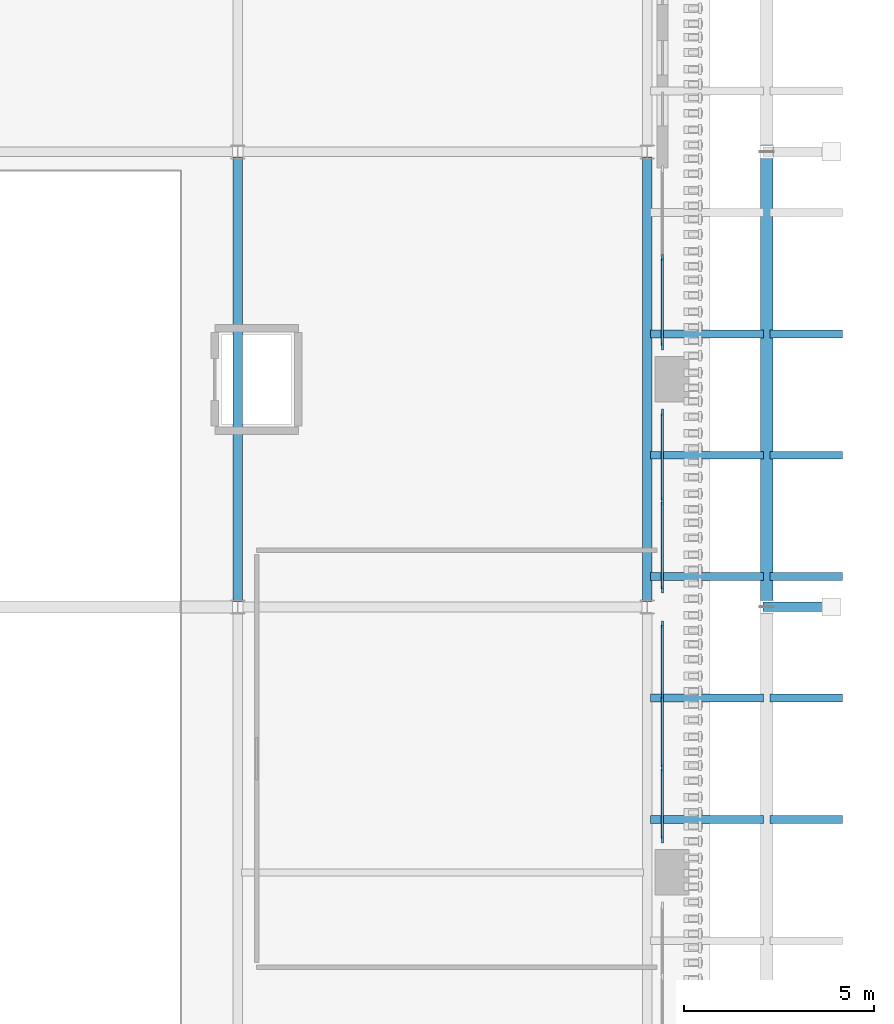
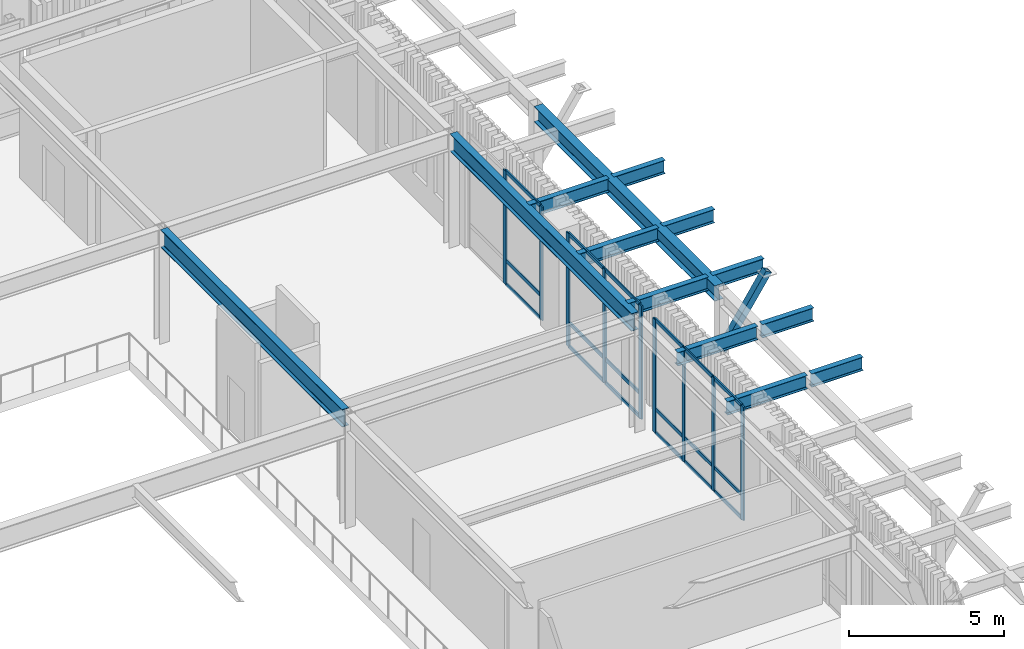
# One storey, part 54 of 126: 28 members, 13 beams, 3 elements without a shape of their own.
"""IFC4 building model written with IfcOpenShell, lengths in metres."""

from ifc_helpers import new_model, si_unit, derived_unit, direction, frame, origin, origin_2d, place, context, subcontext, project, spatial, rectangle, hollow_rectangle, i_section, extrude, material, layer, layer_set, material_profile, profile_set, type_object, element, aggregate, save


model = new_model("IFC4")

# Units and contexts
model_context = context("Model", 3, precision=1e-05, world=origin(), true_north=direction((0.0, 1.0)))
body_context = subcontext(model_context, "Body", "Model", "MODEL_VIEW")
ifc_project = project(units=[si_unit("LENGTHUNIT", "METRE"), si_unit("AREAUNIT", "SQUARE_METRE"), si_unit("VOLUMEUNIT", "CUBIC_METRE"), si_unit("PLANEANGLEUNIT", "RADIAN"), si_unit("MASSUNIT", "GRAM", prefix="KILO"), derived_unit("THERMALTRANSMITTANCEUNIT", [(si_unit("MASSUNIT", "GRAM", prefix="KILO"), 1), (si_unit("TIMEUNIT", "SECOND"), -3), (si_unit("THERMODYNAMICTEMPERATUREUNIT", "KELVIN"), -1)])], contexts=[model_context])

# Site, building, storey
site_placement = place(None, origin())
site = spatial("IfcSite", under=ifc_project, at=site_placement, CompositionType="ELEMENT")
building_placement = place(site_placement, origin())
building = spatial("IfcBuilding", under=site, at=building_placement, Name="Valcora Ridge Arena", CompositionType="ELEMENT")
storey_placement = place(building_placement, frame((0.0, 0.0, 11.39990234375)))
storey = spatial("IfcBuildingStorey", under=building, at=storey_placement, Name="L02", CompositionType="ELEMENT", Elevation=11.39990234375)

# Beams
ifc_material_1 = material(Name="Steel ASTM A572 Grade 50", Category="steel")
ifc_material_profile_1 = material_profile(ifc_material_1, i_section(OverallWidth=0.324951171875, OverallDepth=0.612060546875, WebThickness=0.0126953125, FlangeThickness=0.01904296875, FilletRadius=0.01806640625, at=origin_2d()), Name="W24X104")
ifc_profile_set_1 = profile_set([ifc_material_profile_1], Name="Steel ASTM A572 Grade 50")
beam_type_1 = type_object("IfcBeamType", Name="TY-BEAM-G-COL-W24", PredefinedType="BEAM", material=ifc_profile_set_1)
beam_placement = place(storey_placement, frame((189.949951171875, 54.159912109375, 4.174072265625), z_axis=(0.0, 1.0, 0.0), x_axis=(-1.0, 0.0, 0.0)))
element("IfcBeam", 1, at=beam_placement, inside=storey, type_object=beam_type_1, Name="G-COL-W24 BEM-G-COL-W24-0010", PredefinedType="BEAM", context=body_context, shape_type="SweptSolid", body=[
    extrude(i_section(OverallWidth=0.324951171875, OverallDepth=0.612060546875, WebThickness=0.0126953125, FlangeThickness=0.01904296875, FilletRadius=0.01806640625, at=origin_2d()), origin(), (0.0, 0.0, 1.0), 11.68017578125),
])
ifc_material_profile_2 = material_profile(ifc_material_1, i_section(OverallWidth=0.256103515625, OverallDepth=0.693115234375, WebThickness=0.014404296875, FlangeThickness=0.023681640625, FilletRadius=0.02001953125, at=origin_2d()), Name="W27X114")
ifc_profile_set_2 = profile_set([ifc_material_profile_2], Name="Steel ASTM A572 Grade 50")
beam_type_2 = type_object("IfcBeamType", Name="TY-BEAM-G-W27X114-Y", PredefinedType="BEAM", material=ifc_profile_set_2)
for number, where, z_axis, x_axis, name in (
    (2, (176.0, 54.139892578125, 4.133544921875), (0.0, 1.0, 0.0), (-1.0, 0.0, 0.0), "G-W27X114-Y BEM-G-W27X114-Y-0077"),
    (3, (186.800048828125, 54.139892578125, 4.133544921875), (0.0, 1.0, 0.0), (-1.0, 0.0, 0.0), "G-W27X114-Y BEM-G-W27X114-Y-0083"),
):
    element("IfcBeam", number, at=place(storey_placement, frame(where, z_axis=z_axis, x_axis=x_axis)), inside=storey, type_object=beam_type_2, Name=name, PredefinedType="BEAM", context=body_context, shape_type="SweptSolid", body=[
        extrude(i_section(OverallWidth=0.256103515625, OverallDepth=0.693115234375, WebThickness=0.014404296875, FlangeThickness=0.023681640625, FilletRadius=0.02001953125, at=origin_2d()), origin(), (0.0, 0.0, 1.0), 11.72021484375),
    ])
ifc_material_profile_3 = material_profile(ifc_material_1, i_section(OverallWidth=0.208984375, OverallDepth=0.532958984375, WebThickness=0.01025390625, FlangeThickness=0.015625, FilletRadius=0.01611328125, at=origin_2d()), Name="W21X62")
ifc_profile_set_3 = profile_set([ifc_material_profile_3], Name="Steel ASTM A572 Grade 50")
beam_type_3 = type_object("IfcBeamType", Name="TY-BEAM-RAF-EAVE-W21E", PredefinedType="BEAM", material=ifc_profile_set_3)
for number, where, z_axis, x_axis, name in (
    (4, (186.8798828125, 48.39990234375, 4.213623046875), (1.0, 0.0, 0.0), (0.0, 1.0, 0.0), "RAF-EAVE-W21E BEM-RAF-EAVE-W21E-0013"),
    (5, (186.8798828125, 51.60009765625, 4.213623046875), (1.0, 0.0, 0.0), (0.0, 1.0, 0.0), "RAF-EAVE-W21E BEM-RAF-EAVE-W21E-0014"),
    (6, (186.8798828125, 54.800048828125, 4.213623046875), (1.0, 0.0, 0.0), (0.0, 1.0, 0.0), "RAF-EAVE-W21E BEM-RAF-EAVE-W21E-0015"),
    (7, (186.8798828125, 58.0, 4.213623046875), (1.0, 0.0, 0.0), (0.0, 1.0, 0.0), "RAF-EAVE-W21E BEM-RAF-EAVE-W21E-0016"),
    (8, (186.8798828125, 61.199951171875, 4.213623046875), (1.0, 0.0, 0.0), (0.0, 1.0, 0.0), "RAF-EAVE-W21E BEM-RAF-EAVE-W21E-0017"),
):
    element("IfcBeam", number, at=place(storey_placement, frame(where, z_axis=z_axis, x_axis=x_axis)), inside=storey, type_object=beam_type_3, Name=name, PredefinedType="BEAM", context=body_context, shape_type="SweptSolid", body=[
        extrude(i_section(OverallWidth=0.208984375, OverallDepth=0.532958984375, WebThickness=0.01025390625, FlangeThickness=0.015625, FilletRadius=0.01611328125, at=origin_2d()), origin(), (0.0, 0.0, 1.0), 2.990234375),
    ])
ifc_material_profile_4 = material_profile(ifc_material_1, i_section(OverallWidth=0.208984375, OverallDepth=0.532958984375, WebThickness=0.01025390625, FlangeThickness=0.015625, FilletRadius=0.01611328125, at=origin_2d()), Name="W21X62")
ifc_profile_set_4 = profile_set([ifc_material_profile_4], Name="Steel ASTM A572 Grade 50")
beam_type_4 = type_object("IfcBeamType", Name="TY-BEAM-RAF-TIP-W21E", PredefinedType="BEAM", material=ifc_profile_set_4)
for number, where, z_axis, x_axis, name in (
    (9, (190.030029296875, 48.39990234375, 4.213623046875), (1.0, 0.0, 0.0), (0.0, 1.0, 0.0), "RAF-TIP-W21E BEM-RAF-TIP-W21E-0013"),
    (10, (190.030029296875, 51.60009765625, 4.213623046875), (1.0, 0.0, 0.0), (0.0, 1.0, 0.0), "RAF-TIP-W21E BEM-RAF-TIP-W21E-0014"),
    (11, (190.030029296875, 54.800048828125, 4.213623046875), (1.0, 0.0, 0.0), (0.0, 1.0, 0.0), "RAF-TIP-W21E BEM-RAF-TIP-W21E-0015"),
    (12, (190.030029296875, 58.0, 4.213623046875), (1.0, 0.0, 0.0), (0.0, 1.0, 0.0), "RAF-TIP-W21E BEM-RAF-TIP-W21E-0016"),
    (13, (190.030029296875, 61.199951171875, 4.213623046875), (1.0, 0.0, 0.0), (0.0, 1.0, 0.0), "RAF-TIP-W21E BEM-RAF-TIP-W21E-0017"),
):
    element("IfcBeam", number, at=place(storey_placement, frame(where, z_axis=z_axis, x_axis=x_axis)), inside=storey, type_object=beam_type_4, Name=name, PredefinedType="BEAM", context=body_context, shape_type="SweptSolid", body=[
        extrude(i_section(OverallWidth=0.208984375, OverallDepth=0.532958984375, WebThickness=0.01025390625, FlangeThickness=0.015625, FilletRadius=0.01611328125, at=origin_2d()), origin(), (0.0, 0.0, 1.0), 1.919921875),
    ])

# Curtain wall, members
ifc_material_2 = material(Name="Anodised dark bronze architectural aluminium 6063-T6", Category="aluminium")
ifc_layer_1 = layer(ifc_material_2, 0.179931640625, Name="Anodised dark bronze architectural aluminium 6063-T6")
ifc_layer_set_1 = layer_set([ifc_layer_1], Name="Anodised dark bronze architectural aluminium 6063-T6")
curtain_wall_type_1 = type_object("IfcCurtainWallType", Name="TY-CURTAINWALL-CW-V2-GLAZ-057X45", PredefinedType="NOTDEFINED", material=ifc_layer_set_1)
curtain_wall_1_placement = place(storey_placement, origin())
curtain_wall_1 = element("IfcCurtainWall", 14, at=curtain_wall_1_placement, inside=storey, type_object=curtain_wall_type_1, Name="CW-V2-GLAZ-057X45 CW-0076", PredefinedType="NOTDEFINED")
ifc_material_profile_5 = material_profile(ifc_material_2, rectangle(XDim=0.06005859375, YDim=0.179931640625, at=origin_2d()), Name="ALU MULLION 60x180")
ifc_profile_set_5 = profile_set([ifc_material_profile_5], Name="Anodised dark bronze architectural aluminium 6063-T6")
member_type_1 = type_object("IfcMemberType", Name="TY-MEM-CWM-60x180", PredefinedType="MULLION", material=ifc_profile_set_5)
member_1_placement = place(storey_placement, frame((187.199951171875, 47.8701171875, 0.0), z_axis=(0.0, 0.0, 1.0), x_axis=(-1.0, 0.0, 0.0)))
member_1 = element("IfcMember", 15, at=member_1_placement, type_object=member_type_1, Name="CW-0076/CWM-60x180/M00", PredefinedType="MULLION", context=body_context, shape_type="SweptSolid", body=[
    extrude(rectangle(XDim=0.06005859375, YDim=0.179931640625, at=origin_2d()), origin(), (0.0, 0.0, 1.0), 4.47998046875),
])
member_2_placement = place(storey_placement, frame((187.199951171875, 49.751220703125, 0.0), z_axis=(0.0, 0.0, 1.0), x_axis=(-1.0, 0.0, 0.0)))
member_2 = element("IfcMember", 16, at=member_2_placement, type_object=member_type_1, Name="CW-0076/CWM-60x180/M01", PredefinedType="MULLION", context=body_context, shape_type="SweptSolid", body=[
    extrude(rectangle(XDim=0.06005859375, YDim=0.179931640625, at=origin_2d()), origin(), (0.0, 0.0, 1.0), 4.47998046875),
])
member_3_placement = place(storey_placement, frame((187.199951171875, 51.662353515625, 0.0), z_axis=(0.0, 0.0, 1.0), x_axis=(-1.0, 0.0, 0.0)))
member_3 = element("IfcMember", 17, at=member_3_placement, type_object=member_type_1, Name="CW-0076/CWM-60x180/M02", PredefinedType="MULLION", context=body_context, shape_type="SweptSolid", body=[
    extrude(rectangle(XDim=0.06005859375, YDim=0.179931640625, at=origin_2d()), origin(), (0.0, 0.0, 1.0), 4.47998046875),
])
member_4_placement = place(storey_placement, frame((187.199951171875, 53.54345703125, 0.0), z_axis=(0.0, 0.0, 1.0), x_axis=(-1.0, 0.0, 0.0)))
member_4 = element("IfcMember", 18, at=member_4_placement, type_object=member_type_1, Name="CW-0076/CWM-60x180/M03", PredefinedType="MULLION", context=body_context, shape_type="SweptSolid", body=[
    extrude(rectangle(XDim=0.06005859375, YDim=0.179931640625, at=origin_2d()), origin(), (0.0, 0.0, 1.0), 4.47998046875),
])

ifc_layer_2 = layer(ifc_material_2, 0.179931640625, Name="Anodised dark bronze architectural aluminium 6063-T6")
ifc_layer_set_2 = layer_set([ifc_layer_2], Name="Anodised dark bronze architectural aluminium 6063-T6")
curtain_wall_type_2 = type_object("IfcCurtainWallType", Name="TY-CURTAINWALL-CW-V2-GLAZ-047X45", PredefinedType="NOTDEFINED", material=ifc_layer_set_2)
curtain_wall_2_placement = place(storey_placement, origin())
curtain_wall_2 = element("IfcCurtainWall", 19, at=curtain_wall_2_placement, inside=storey, type_object=curtain_wall_type_2, Name="CW-V2-GLAZ-047X45 CW-0077", PredefinedType="NOTDEFINED")
member_5_placement = place(storey_placement, frame((187.199951171875, 54.45654296875, 0.0), z_axis=(0.0, 0.0, 1.0), x_axis=(-1.0, 0.0, 0.0)))
member_5 = element("IfcMember", 20, at=member_5_placement, type_object=member_type_1, Name="CW-0077/CWM-60x180/M00", PredefinedType="MULLION", context=body_context, shape_type="SweptSolid", body=[
    extrude(rectangle(XDim=0.06005859375, YDim=0.179931640625, at=origin_2d()), origin(), (0.0, 0.0, 1.0), 4.47998046875),
])
member_6_placement = place(storey_placement, frame((187.199951171875, 56.793212890625, 0.0), z_axis=(0.0, 0.0, 1.0), x_axis=(-1.0, 0.0, 0.0)))
member_6 = element("IfcMember", 21, at=member_6_placement, type_object=member_type_1, Name="CW-0077/CWM-60x180/M01", PredefinedType="MULLION", context=body_context, shape_type="SweptSolid", body=[
    extrude(rectangle(XDim=0.06005859375, YDim=0.179931640625, at=origin_2d()), origin(), (0.0, 0.0, 1.0), 4.47998046875),
])
member_7_placement = place(storey_placement, frame((187.199951171875, 59.1298828125, 0.0), z_axis=(0.0, 0.0, 1.0), x_axis=(-1.0, 0.0, 0.0)))
member_7 = element("IfcMember", 22, at=member_7_placement, type_object=member_type_1, Name="CW-0077/CWM-60x180/M02", PredefinedType="MULLION", context=body_context, shape_type="SweptSolid", body=[
    extrude(rectangle(XDim=0.06005859375, YDim=0.179931640625, at=origin_2d()), origin(), (0.0, 0.0, 1.0), 4.47998046875),
])

curtain_wall_3_placement = place(storey_placement, origin())
curtain_wall_3 = element("IfcCurtainWall", 23, at=curtain_wall_3_placement, inside=storey, type_object=curtain_wall_type_2, Name="CW-V2-GLAZ-047X45 CW-0078", PredefinedType="NOTDEFINED")
member_8_placement = place(storey_placement, frame((187.199951171875, 60.8701171875, 0.0), z_axis=(0.0, 0.0, 1.0), x_axis=(-1.0, 0.0, 0.0)))
member_8 = element("IfcMember", 24, at=member_8_placement, type_object=member_type_1, Name="CW-0078/CWM-60x180/M00", PredefinedType="MULLION", context=body_context, shape_type="SweptSolid", body=[
    extrude(rectangle(XDim=0.06005859375, YDim=0.179931640625, at=origin_2d()), origin(), (0.0, 0.0, 1.0), 4.47998046875),
])
member_9_placement = place(storey_placement, frame((187.199951171875, 63.206787109375, 0.0), z_axis=(0.0, 0.0, 1.0), x_axis=(-1.0, 0.0, 0.0)))
member_9 = element("IfcMember", 25, at=member_9_placement, type_object=member_type_1, Name="CW-0078/CWM-60x180/M01", PredefinedType="MULLION", context=body_context, shape_type="SweptSolid", body=[
    extrude(rectangle(XDim=0.06005859375, YDim=0.179931640625, at=origin_2d()), origin(), (0.0, 0.0, 1.0), 4.47998046875),
])

# Member
ifc_material_profile_6 = material_profile(ifc_material_2, rectangle(XDim=0.050048828125, YDim=0.14990234375, at=origin_2d()), Name="ALU TRANSOM 50x150")
ifc_profile_set_6 = profile_set([ifc_material_profile_6], Name="Anodised dark bronze architectural aluminium 6063-T6")
member_type_2 = type_object("IfcMemberType", Name="TY-MEM-CWT-50x150", PredefinedType="USERDEFINED", material=ifc_profile_set_6)
member_10_placement = place(storey_placement, frame((187.199951171875, 47.89990234375, 0.025146484375), z_axis=(0.0, 1.0, 0.0), x_axis=(-1.0, 0.0, 0.0)))
member_10 = element("IfcMember", 26, at=member_10_placement, type_object=member_type_2, Name="CW-0076/CWT-50x150/T00-00", ObjectType="TRANSOM", PredefinedType="USERDEFINED", context=body_context, shape_type="SweptSolid", body=[
    extrude(rectangle(XDim=0.050048828125, YDim=0.14990234375, at=origin_2d()), origin(), (0.0, 0.0, 1.0), 1.821044921875),
])

member_11_placement = place(storey_placement, frame((187.199951171875, 47.89990234375, 0.9501953125), z_axis=(0.0, 1.0, 0.0), x_axis=(-1.0, 0.0, 0.0)))
member_11 = element("IfcMember", 27, at=member_11_placement, type_object=member_type_2, Name="CW-0076/CWT-50x150/T00-01", ObjectType="TRANSOM", PredefinedType="USERDEFINED", context=body_context, shape_type="SweptSolid", body=[
    extrude(rectangle(XDim=0.050048828125, YDim=0.14990234375, at=origin_2d()), origin(), (0.0, 0.0, 1.0), 1.821044921875),
])

member_12_placement = place(storey_placement, frame((187.199951171875, 47.89990234375, 4.455078125), z_axis=(0.0, 1.0, 0.0), x_axis=(-1.0, 0.0, 0.0)))
member_12 = element("IfcMember", 28, at=member_12_placement, type_object=member_type_2, Name="CW-0076/CWT-50x150/T00-02", ObjectType="TRANSOM", PredefinedType="USERDEFINED", context=body_context, shape_type="SweptSolid", body=[
    extrude(rectangle(XDim=0.050048828125, YDim=0.14990234375, at=origin_2d()), origin(), (0.0, 0.0, 1.0), 1.821044921875),
])

member_13_placement = place(storey_placement, frame((187.199951171875, 49.781005859375, 0.025146484375), z_axis=(0.0, 1.0, 0.0), x_axis=(-1.0, 0.0, 0.0)))
member_13 = element("IfcMember", 29, at=member_13_placement, type_object=member_type_2, Name="CW-0076/CWT-50x150/T01-00", ObjectType="TRANSOM", PredefinedType="USERDEFINED", context=body_context, shape_type="SweptSolid", body=[
    extrude(rectangle(XDim=0.050048828125, YDim=0.14990234375, at=origin_2d()), origin(), (0.0, 0.0, 1.0), 1.85107421875),
])

member_14_placement = place(storey_placement, frame((187.199951171875, 49.781005859375, 0.9501953125), z_axis=(0.0, 1.0, 0.0), x_axis=(-1.0, 0.0, 0.0)))
member_14 = element("IfcMember", 30, at=member_14_placement, type_object=member_type_2, Name="CW-0076/CWT-50x150/T01-01", ObjectType="TRANSOM", PredefinedType="USERDEFINED", context=body_context, shape_type="SweptSolid", body=[
    extrude(rectangle(XDim=0.050048828125, YDim=0.14990234375, at=origin_2d()), origin(), (0.0, 0.0, 1.0), 1.85107421875),
])

member_15_placement = place(storey_placement, frame((187.199951171875, 49.781005859375, 4.455078125), z_axis=(0.0, 1.0, 0.0), x_axis=(-1.0, 0.0, 0.0)))
member_15 = element("IfcMember", 31, at=member_15_placement, type_object=member_type_2, Name="CW-0076/CWT-50x150/T01-02", ObjectType="TRANSOM", PredefinedType="USERDEFINED", context=body_context, shape_type="SweptSolid", body=[
    extrude(rectangle(XDim=0.050048828125, YDim=0.14990234375, at=origin_2d()), origin(), (0.0, 0.0, 1.0), 1.85107421875),
])

member_16_placement = place(storey_placement, frame((187.199951171875, 51.69189453125, 0.025146484375), z_axis=(0.0, 1.0, 0.0), x_axis=(-1.0, 0.0, 0.0)))
member_16 = element("IfcMember", 32, at=member_16_placement, type_object=member_type_2, Name="CW-0076/CWT-50x150/T02-00", ObjectType="TRANSOM", PredefinedType="USERDEFINED", context=body_context, shape_type="SweptSolid", body=[
    extrude(rectangle(XDim=0.050048828125, YDim=0.14990234375, at=origin_2d()), origin(), (0.0, 0.0, 1.0), 1.821044921875),
])

member_17_placement = place(storey_placement, frame((187.199951171875, 51.69189453125, 0.9501953125), z_axis=(0.0, 1.0, 0.0), x_axis=(-1.0, 0.0, 0.0)))
member_17 = element("IfcMember", 33, at=member_17_placement, type_object=member_type_2, Name="CW-0076/CWT-50x150/T02-01", ObjectType="TRANSOM", PredefinedType="USERDEFINED", context=body_context, shape_type="SweptSolid", body=[
    extrude(rectangle(XDim=0.050048828125, YDim=0.14990234375, at=origin_2d()), origin(), (0.0, 0.0, 1.0), 1.821044921875),
])

member_18_placement = place(storey_placement, frame((187.199951171875, 51.69189453125, 4.455078125), z_axis=(0.0, 1.0, 0.0), x_axis=(-1.0, 0.0, 0.0)))
member_18 = element("IfcMember", 34, at=member_18_placement, type_object=member_type_2, Name="CW-0076/CWT-50x150/T02-02", ObjectType="TRANSOM", PredefinedType="USERDEFINED", context=body_context, shape_type="SweptSolid", body=[
    extrude(rectangle(XDim=0.050048828125, YDim=0.14990234375, at=origin_2d()), origin(), (0.0, 0.0, 1.0), 1.821044921875),
])

aggregate(curtain_wall_1, [member_1, member_2, member_3, member_4, member_10, member_11, member_12, member_13, member_14, member_15, member_16, member_17, member_18])

member_19_placement = place(storey_placement, frame((187.199951171875, 54.486572265625, 0.025146484375), z_axis=(0.0, 1.0, 0.0), x_axis=(-1.0, 0.0, 0.0)))
member_19 = element("IfcMember", 35, at=member_19_placement, type_object=member_type_2, Name="CW-0077/CWT-50x150/T00-00", ObjectType="TRANSOM", PredefinedType="USERDEFINED", context=body_context, shape_type="SweptSolid", body=[
    extrude(rectangle(XDim=0.050048828125, YDim=0.14990234375, at=origin_2d()), origin(), (0.0, 0.0, 1.0), 2.27685546875),
])

member_20_placement = place(storey_placement, frame((187.199951171875, 54.486572265625, 0.9501953125), z_axis=(0.0, 1.0, 0.0), x_axis=(-1.0, 0.0, 0.0)))
member_20 = element("IfcMember", 36, at=member_20_placement, type_object=member_type_2, Name="CW-0077/CWT-50x150/T00-01", ObjectType="TRANSOM", PredefinedType="USERDEFINED", context=body_context, shape_type="SweptSolid", body=[
    extrude(rectangle(XDim=0.050048828125, YDim=0.14990234375, at=origin_2d()), origin(), (0.0, 0.0, 1.0), 2.27685546875),
])

member_21_placement = place(storey_placement, frame((187.199951171875, 54.486572265625, 4.455078125), z_axis=(0.0, 1.0, 0.0), x_axis=(-1.0, 0.0, 0.0)))
member_21 = element("IfcMember", 37, at=member_21_placement, type_object=member_type_2, Name="CW-0077/CWT-50x150/T00-02", ObjectType="TRANSOM", PredefinedType="USERDEFINED", context=body_context, shape_type="SweptSolid", body=[
    extrude(rectangle(XDim=0.050048828125, YDim=0.14990234375, at=origin_2d()), origin(), (0.0, 0.0, 1.0), 2.27685546875),
])

member_22_placement = place(storey_placement, frame((187.199951171875, 56.823486328125, 0.025146484375), z_axis=(0.0, 1.0, 0.0), x_axis=(-1.0, 0.0, 0.0)))
member_22 = element("IfcMember", 38, at=member_22_placement, type_object=member_type_2, Name="CW-0077/CWT-50x150/T01-00", ObjectType="TRANSOM", PredefinedType="USERDEFINED", context=body_context, shape_type="SweptSolid", body=[
    extrude(rectangle(XDim=0.050048828125, YDim=0.14990234375, at=origin_2d()), origin(), (0.0, 0.0, 1.0), 2.276123046875),
])

member_23_placement = place(storey_placement, frame((187.199951171875, 56.823486328125, 0.9501953125), z_axis=(0.0, 1.0, 0.0), x_axis=(-1.0, 0.0, 0.0)))
member_23 = element("IfcMember", 39, at=member_23_placement, type_object=member_type_2, Name="CW-0077/CWT-50x150/T01-01", ObjectType="TRANSOM", PredefinedType="USERDEFINED", context=body_context, shape_type="SweptSolid", body=[
    extrude(rectangle(XDim=0.050048828125, YDim=0.14990234375, at=origin_2d()), origin(), (0.0, 0.0, 1.0), 2.276123046875),
])

member_24_placement = place(storey_placement, frame((187.199951171875, 56.823486328125, 4.455078125), z_axis=(0.0, 1.0, 0.0), x_axis=(-1.0, 0.0, 0.0)))
member_24 = element("IfcMember", 40, at=member_24_placement, type_object=member_type_2, Name="CW-0077/CWT-50x150/T01-02", ObjectType="TRANSOM", PredefinedType="USERDEFINED", context=body_context, shape_type="SweptSolid", body=[
    extrude(rectangle(XDim=0.050048828125, YDim=0.14990234375, at=origin_2d()), origin(), (0.0, 0.0, 1.0), 2.276123046875),
])

aggregate(curtain_wall_2, [member_5, member_6, member_7, member_19, member_20, member_21, member_22, member_23, member_24])

member_25_placement = place(storey_placement, frame((187.199951171875, 60.89990234375, 0.025146484375), z_axis=(0.0, 1.0, 0.0), x_axis=(-1.0, 0.0, 0.0)))
member_25 = element("IfcMember", 41, at=member_25_placement, type_object=member_type_2, Name="CW-0078/CWT-50x150/T00-00", ObjectType="TRANSOM", PredefinedType="USERDEFINED", context=body_context, shape_type="SweptSolid", body=[
    extrude(rectangle(XDim=0.050048828125, YDim=0.14990234375, at=origin_2d()), origin(), (0.0, 0.0, 1.0), 2.277099609375),
])

member_26_placement = place(storey_placement, frame((187.199951171875, 60.89990234375, 0.9501953125), z_axis=(0.0, 1.0, 0.0), x_axis=(-1.0, 0.0, 0.0)))
member_26 = element("IfcMember", 42, at=member_26_placement, type_object=member_type_2, Name="CW-0078/CWT-50x150/T00-01", ObjectType="TRANSOM", PredefinedType="USERDEFINED", context=body_context, shape_type="SweptSolid", body=[
    extrude(rectangle(XDim=0.050048828125, YDim=0.14990234375, at=origin_2d()), origin(), (0.0, 0.0, 1.0), 2.277099609375),
])

member_27_placement = place(storey_placement, frame((187.199951171875, 60.89990234375, 4.455078125), z_axis=(0.0, 1.0, 0.0), x_axis=(-1.0, 0.0, 0.0)))
member_27 = element("IfcMember", 43, at=member_27_placement, type_object=member_type_2, Name="CW-0078/CWT-50x150/T00-02", ObjectType="TRANSOM", PredefinedType="USERDEFINED", context=body_context, shape_type="SweptSolid", body=[
    extrude(rectangle(XDim=0.050048828125, YDim=0.14990234375, at=origin_2d()), origin(), (0.0, 0.0, 1.0), 2.277099609375),
])

aggregate(curtain_wall_3, [member_8, member_9, member_25, member_26, member_27])

ifc_material_3 = material(Name="Steel ASTM A500 Grade C", Category="steel")
ifc_material_profile_7 = material_profile(ifc_material_3, hollow_rectangle(XDim=0.25, YDim=0.25, WallThickness=0.012451171875, at=origin_2d()), Name="HSS250X250X12")
ifc_profile_set_7 = profile_set([ifc_material_profile_7], Name="Steel ASTM A500 Grade C")
member_type_3 = type_object("IfcMemberType", Name="TY-MEMBER-KBG-250", PredefinedType="BRACE", material=ifc_profile_set_7)
member_28_placement = place(storey_placement, frame((189.949951171875, 54.0, 2.0), z_axis=(0.55317758564, 0.0, 0.833063358182), x_axis=(0.0, 1.0, 0.0)))
element("IfcMember", 44, at=member_28_placement, inside=storey, type_object=member_type_3, Name="KBG-250 Knee Brace", PredefinedType="BRACE", context=body_context, shape_type="SweptSolid", body=[
    extrude(hollow_rectangle(XDim=0.25, YDim=0.25, WallThickness=0.012451171875, at=origin_2d()), origin(), (0.0, 0.0, 1.0), 3.072998046875),
])

save(model, "model.ifc")
